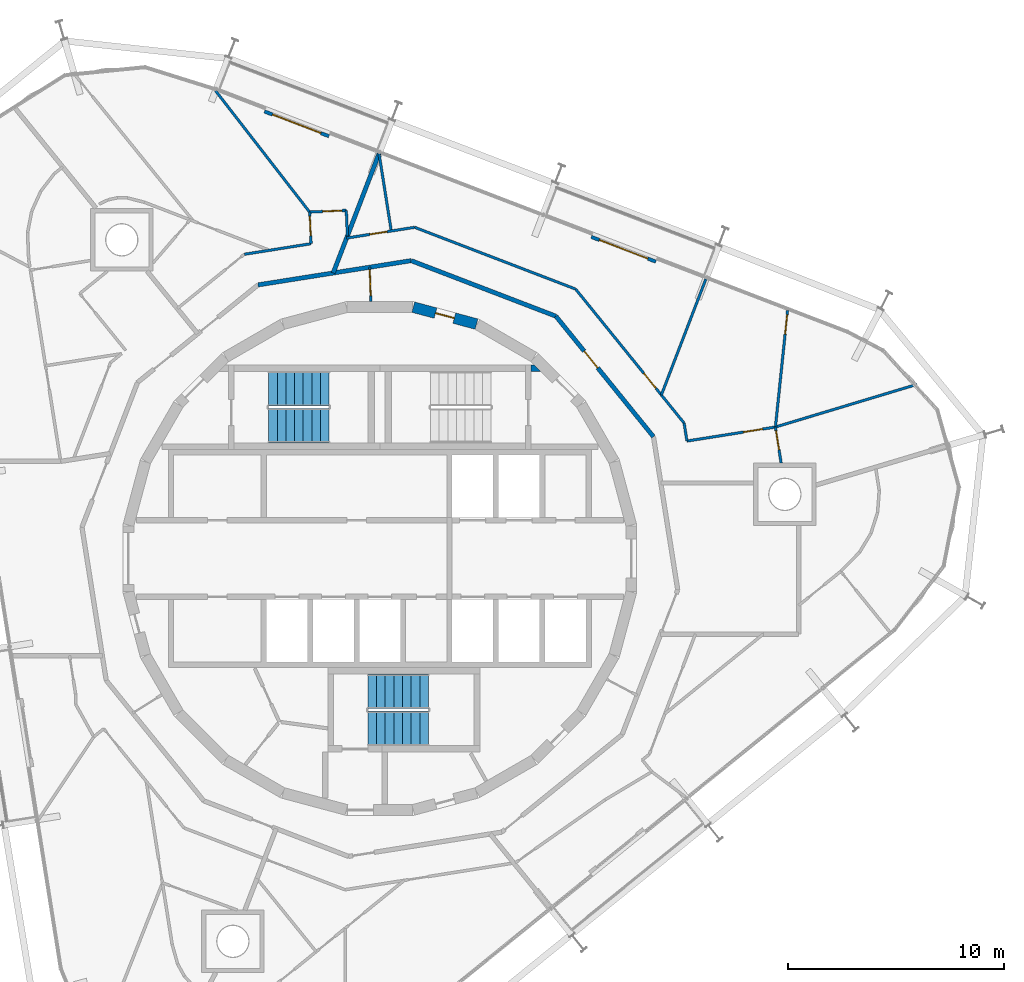
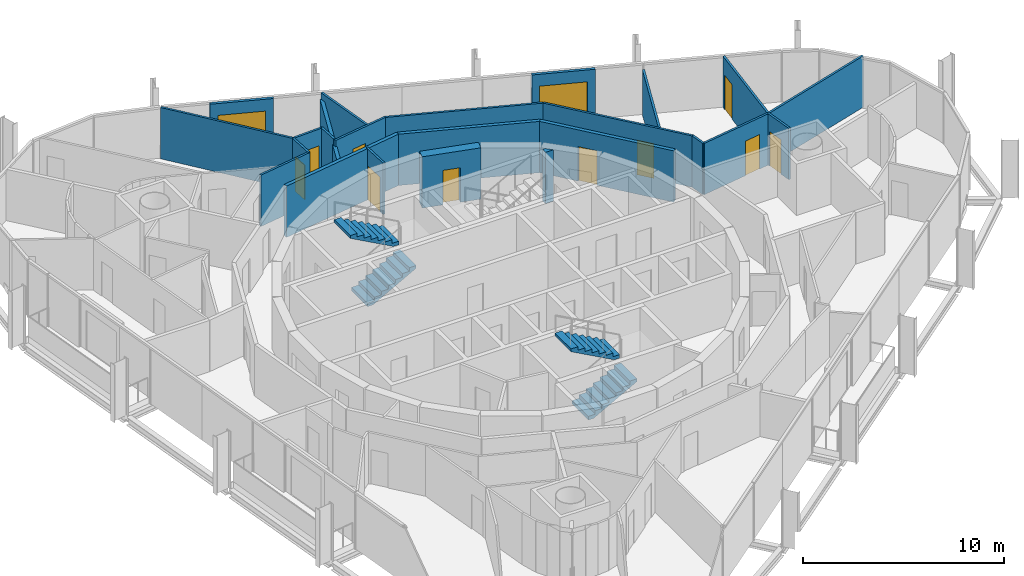
# One storey, part 16 of 18: 24 walls, 12 doors, 4 stair flights, 12 openings, 2 elements without a shape of their own.
"""IFC4 building model written with IfcOpenShell, lengths in metres."""

from ifc_helpers import new_model, si_unit, direction, frame, frame_2d, origin, place, context, subcontext, project, spatial, polyline, rectangle, outline, extrude, material, layer, layer_set, type_object, element, fill, aggregate, save


model = new_model("IFC4")

# Units and contexts
model_context = context("Model", 3, precision=1e-05, world=origin(), true_north=direction((0.0, 1.0)))
body_context = subcontext(model_context, "Body", "Model", "MODEL_VIEW")
ifc_project = project(units=[si_unit("LENGTHUNIT", "METRE"), si_unit("AREAUNIT", "SQUARE_METRE"), si_unit("VOLUMEUNIT", "CUBIC_METRE"), si_unit("PLANEANGLEUNIT", "RADIAN"), si_unit("MASSUNIT", "GRAM", prefix="KILO")], contexts=[model_context])

# Site, building, storey
site_placement = place(None, origin())
site = spatial("IfcSite", under=ifc_project, at=site_placement, CompositionType="ELEMENT")
building_placement = place(site_placement, origin())
building = spatial("IfcBuilding", under=site, at=building_placement, Name="Spindle Arch Residences", CompositionType="ELEMENT")
storey_placement = place(building_placement, frame((0.0, 0.0, 280.89990234375)))
storey = spatial("IfcBuildingStorey", under=building, at=storey_placement, Name="L72", CompositionType="ELEMENT", Elevation=280.89990234375)

# Wall, opening, door
ifc_material_1 = material(Name="Concrete C50/60", Category="concrete")
ifc_layer_1 = layer(ifc_material_1, 0.5)
ifc_layer_set_1 = layer_set([ifc_layer_1], Name="Core outline wall 500")
wall_type_1 = type_object("IfcWallType", Name="Core outline wall 500", PredefinedType="SHEAR", material=ifc_layer_set_1)
wall_1_placement = place(storey_placement, frame((4.479248046875, 10.858154296875, 0.0), z_axis=(0.0, 0.0, 1.0), x_axis=(-0.965948410781, 0.258734743916, 0.0)))
wall_1 = element("IfcWall", 1, at=wall_1_placement, inside=storey, type_object=wall_type_1, Name="Core outline wall 11", PredefinedType="SHEAR", context=body_context, shape_type="SweptSolid", body=[
    extrude(rectangle(XDim=3.03271484375, YDim=0.5, at=frame_2d((1.516357421875, 0.0))), origin(), (0.0, 0.0, 1.0), 3.1201171875),
])
opening_1_placement = place(wall_1_placement, frame((1.066162109375, 0.0, 0.0)))
opening_1 = element("IfcOpeningElement", 2, at=opening_1_placement, cuts=wall_1, Name="Opening R7B1-WD11", PredefinedType="OPENING", context=body_context, shape_type="SweptSolid", body=[
    extrude(rectangle(XDim=0.89990234375, YDim=2.10009765625, at=frame_2d((0.449951171875, 1.050048828125))), frame((0.0, 0.260009765625, 0.0), z_axis=(0.0, -1.0, 0.0), x_axis=(1.0, 0.0, 0.0)), (0.0, 0.0, 1.0), 0.52001953125),
])
ifc_material_2 = material(Name="Steel, fire-resisting door", Category="steel")
door_type_1 = type_object("IfcDoorType", Name="Service room door 900x2100", OperationType="SINGLE_SWING_LEFT", PredefinedType="DOOR", material=ifc_material_2)
door_1_placement = place(opening_1_placement, origin())
door_1 = element("IfcDoor", 3, at=door_1_placement, inside=storey, type_object=door_type_1, Name="Service room door R7B1-WD11", OperationType="SINGLE_SWING_LEFT", OverallHeight=2.10009765625, OverallWidth=0.89990234375, PredefinedType="DOOR", context=body_context, shape_type="SweptSolid", body=[
    extrude(rectangle(XDim=0.89990234375, YDim=2.10009765625, at=frame_2d((0.449951171875, 1.050048828125))), frame((0.0, 0.02490234375, 0.0), z_axis=(0.0, -1.0, 0.0), x_axis=(1.0, 0.0, 0.0)), (0.0, 0.0, 1.0), 0.050048828125),
])
fill(opening_1, door_1)

ifc_material_3 = material(Name="Plasterboard on steel studs", Category="steel")
ifc_layer_2 = layer(ifc_material_3, 0.1201171875)
ifc_layer_set_2 = layer_set([ifc_layer_2], Name="Corridor division wall 120")
wall_type_2 = type_object("IfcWallType", Name="Corridor division wall 120", PredefinedType="PARTITIONING", material=ifc_layer_set_2)
wall_2_placement = place(storey_placement, frame((-0.47119140625, 13.492431640625, 0.0), z_axis=(0.0, 0.0, 1.0), x_axis=(0.034873173869, -0.999391745886, 0.0)))
wall_2 = element("IfcWall", 4, at=wall_2_placement, inside=storey, type_object=wall_type_2, Name="Corridor division wall R7B1-W001", PredefinedType="PARTITIONING", context=body_context, shape_type="SweptSolid", body=[
    extrude(rectangle(XDim=1.59619140625, YDim=0.1201171875, at=frame_2d((0.798095703125, 0.0))), origin(), (0.0, 0.0, 1.0), 3.1201171875),
])
opening_2_placement = place(wall_2_placement, frame((0.1201171875, 0.0, 0.0)))
opening_2 = element("IfcOpeningElement", 5, at=opening_2_placement, cuts=wall_2, Name="Opening R7B1-CD01", PredefinedType="OPENING", context=body_context, shape_type="SweptSolid", body=[
    extrude(rectangle(XDim=1.199951171875, YDim=2.10009765625, at=frame_2d((0.60009765625, 1.050048828125))), frame((0.0, 0.070068359375, 0.0), z_axis=(0.0, -1.0, 0.0), x_axis=(1.0, 0.0, 0.0)), (0.0, 0.0, 1.0), 0.14013671875),
])
ifc_material_4 = material(Name="Steel, fire-resisting door", Category="steel")
door_type_2 = type_object("IfcDoorType", Name="Corridor division door 1200x2100", OperationType="NOTDEFINED", PredefinedType="DOOR", material=ifc_material_4)
door_2_placement = place(opening_2_placement, origin())
door_2 = element("IfcDoor", 6, at=door_2_placement, inside=storey, type_object=door_type_2, Name="Corridor division door R7B1-CD01", OperationType="DOUBLE_DOOR_SINGLE_SWING", OverallHeight=2.10009765625, OverallWidth=1.199951171875, PredefinedType="DOOR", context=body_context, shape_type="SweptSolid", body=[
    extrude(rectangle(XDim=1.199951171875, YDim=2.10009765625, at=frame_2d((0.60009765625, 1.050048828125))), frame((0.0, 0.02490234375, 0.0), z_axis=(0.0, -1.0, 0.0), x_axis=(1.0, 0.0, 0.0)), (0.0, 0.0, 1.0), 0.050048828125),
])
fill(opening_2, door_2)

ifc_material_5 = material(Name="Calcium silicate block, plastered")
ifc_layer_3 = layer(ifc_material_5, 0.199951171875)
ifc_layer_set_3 = layer_set([ifc_layer_3], Name="Corridor wall 200")
wall_type_3 = type_object("IfcWallType", Name="Corridor wall 200", PredefinedType="STANDARD", material=ifc_layer_set_3)
wall_3_placement = place(storey_placement, frame((12.67333984375, 5.642578125, 0.0), z_axis=(0.0, 0.0, 1.0), x_axis=(-0.629302871585, 0.777160148113, 0.0)))
wall_3 = element("IfcWall", 7, at=wall_3_placement, inside=storey, type_object=wall_type_3, Name="Corridor wall R7B1-W006", PredefinedType="STANDARD", context=body_context, shape_type="SweptSolid", body=[
    extrude(rectangle(XDim=7.180908203125, YDim=0.199951171875, at=frame_2d((3.59033203125, 0.0))), origin(), (0.0, 0.0, 1.0), 3.1201171875),
])
opening_3_placement = place(wall_3_placement, frame((4.10009765625, 0.0, 0.0)))
opening_3 = element("IfcOpeningElement", 8, at=opening_3_placement, cuts=wall_3, Name="Opening R7B1-FD01", PredefinedType="OPENING", context=body_context, shape_type="SweptSolid", body=[
    extrude(rectangle(XDim=1.0, YDim=2.10009765625, at=frame_2d((0.5, 1.050048828125))), frame((0.0, 0.10986328125, 0.0), z_axis=(0.0, -1.0, 0.0), x_axis=(1.0, 0.0, 0.0)), (0.0, 0.0, 1.0), 0.219970703125),
])
ifc_material_6 = material(Name="Timber, fire-resisting door set", Category="wood")
door_type_3 = type_object("IfcDoorType", Name="Flat entrance door 1000x2100", OperationType="NOTDEFINED", PredefinedType="DOOR", material=ifc_material_6)
door_3_placement = place(opening_3_placement, origin())
door_3 = element("IfcDoor", 9, at=door_3_placement, inside=storey, type_object=door_type_3, Name="Flat entrance door R7B1-FD01", OperationType="SINGLE_SWING_LEFT", OverallHeight=2.10009765625, OverallWidth=1.0, PredefinedType="DOOR", context=body_context, shape_type="SweptSolid", body=[
    extrude(rectangle(XDim=1.0, YDim=2.10009765625, at=frame_2d((0.5, 1.050048828125))), frame((0.0, 0.02490234375, 0.0), z_axis=(0.0, -1.0, 0.0), x_axis=(1.0, 0.0, 0.0)), (0.0, 0.0, 1.0), 0.050048828125),
])
fill(opening_3, door_3)

# Walls
wall_4_placement = place(storey_placement, frame((8.154296875, 11.223388671875, 0.0), z_axis=(0.0, 0.0, 1.0), x_axis=(-0.93359073609, 0.358341090983, 0.0)))
element("IfcWall", 10, at=wall_4_placement, inside=storey, type_object=wall_type_3, Name="Corridor wall R7B1-W007", PredefinedType="STANDARD", context=body_context, shape_type="SweptSolid", body=[
    extrude(rectangle(XDim=7.180908203125, YDim=0.199951171875, at=frame_2d((3.59033203125, 0.0))), origin(), (0.0, 0.0, 1.0), 3.1201171875),
])
wall_5_placement = place(storey_placement, frame((1.4501953125, 13.796630859375, 0.0), z_axis=(0.0, 0.0, 1.0), x_axis=(-0.987690361611, -0.156421704315, 0.0)))
element("IfcWall", 11, at=wall_5_placement, inside=storey, type_object=wall_type_3, Name="Corridor wall R7B1-W008", PredefinedType="STANDARD", context=body_context, shape_type="SweptSolid", body=[
    extrude(rectangle(XDim=7.18115234375, YDim=0.199951171875, at=frame_2d((3.590576171875, 0.0))), origin(), (0.0, 0.0, 1.0), 3.1201171875),
])

# Wall, opening, door
ifc_material_7 = material(Name="Plasterboard on steel studs", Category="steel")
ifc_layer_4 = layer(ifc_material_7, 0.1201171875)
ifc_layer_set_4 = layer_set([ifc_layer_4], Name="Flat partition 120")
wall_type_4 = type_object("IfcWallType", Name="Flat partition 120", PredefinedType="PARTITIONING", material=ifc_layer_set_4)
wall_6_placement = place(storey_placement, frame((18.5869140625, 4.421142578125, 0.0), z_axis=(0.0, 0.0, 1.0), x_axis=(-0.156474488977, 0.987682000595, 0.0)))
wall_6 = element("IfcWall", 12, at=wall_6_placement, inside=storey, type_object=wall_type_4, Name="Flat partition R7B1-W031", PredefinedType="PARTITIONING", context=body_context, shape_type="SweptSolid", body=[
    extrude(rectangle(XDim=1.689697265625, YDim=0.1201171875, at=frame_2d((0.8447265625, 0.0))), origin(), (0.0, 0.0, 1.0), 3.1201171875),
])
opening_4_placement = place(wall_6_placement, frame((0.6201171875, 0.0, 0.0)))
opening_4 = element("IfcOpeningElement", 13, at=opening_4_placement, cuts=wall_6, Name="Opening R7B1-ID01", PredefinedType="OPENING", context=body_context, shape_type="SweptSolid", body=[
    extrude(rectangle(XDim=0.89990234375, YDim=2.10009765625, at=frame_2d((0.449951171875, 1.050048828125))), frame((0.0, 0.070068359375, 0.0), z_axis=(0.0, -1.0, 0.0), x_axis=(1.0, 0.0, 0.0)), (0.0, 0.0, 1.0), 0.14013671875),
])
ifc_material_8 = material(Name="Timber door set", Category="wood")
door_type_4 = type_object("IfcDoorType", Name="Room door 900x2100", OperationType="NOTDEFINED", PredefinedType="DOOR", material=ifc_material_8)
door_4_placement = place(opening_4_placement, origin())
door_4 = element("IfcDoor", 14, at=door_4_placement, inside=storey, type_object=door_type_4, Name="Room door R7B1-ID01", OperationType="SINGLE_SWING_LEFT", OverallHeight=2.10009765625, OverallWidth=0.89990234375, PredefinedType="DOOR", context=body_context, shape_type="SweptSolid", body=[
    extrude(rectangle(XDim=0.89990234375, YDim=2.10009765625, at=frame_2d((0.449951171875, 1.050048828125))), frame((0.0, 0.02490234375, 0.0), z_axis=(0.0, -1.0, 0.0), x_axis=(1.0, 0.0, 0.0)), (0.0, 0.0, 1.0), 0.050048828125),
])
fill(opening_4, door_4)

wall_7_placement = place(storey_placement, frame((18.322509765625, 6.090087890625, 0.0), z_axis=(0.0, 0.0, 1.0), x_axis=(-0.987686518745, -0.156445967317, 0.0)))
wall_7 = element("IfcWall", 15, at=wall_7_placement, inside=storey, type_object=wall_type_4, Name="Flat partition R7B1-W032", PredefinedType="PARTITIONING", context=body_context, shape_type="SweptSolid", body=[
    extrude(rectangle(XDim=4.1494140625, YDim=0.1201171875, at=frame_2d((2.07470703125, 0.0))), origin(), (0.0, 0.0, 1.0), 3.1201171875),
])
opening_5_placement = place(wall_7_placement, frame((0.60009765625, 0.0, 0.0)))
opening_5 = element("IfcOpeningElement", 16, at=opening_5_placement, cuts=wall_7, Name="Opening R7B1-ID02", PredefinedType="OPENING", context=body_context, shape_type="SweptSolid", body=[
    extrude(rectangle(XDim=0.89990234375, YDim=2.10009765625, at=frame_2d((0.449951171875, 1.050048828125))), frame((0.0, 0.070068359375, 0.0), z_axis=(0.0, -1.0, 0.0), x_axis=(1.0, 0.0, 0.0)), (0.0, 0.0, 1.0), 0.14013671875),
])
door_5_placement = place(opening_5_placement, origin())
door_5 = element("IfcDoor", 17, at=door_5_placement, inside=storey, type_object=door_type_4, Name="Room door R7B1-ID02", OperationType="SINGLE_SWING_RIGHT", OverallHeight=2.10009765625, OverallWidth=0.89990234375, PredefinedType="DOOR", context=body_context, shape_type="SweptSolid", body=[
    extrude(rectangle(XDim=0.89990234375, YDim=2.10009765625, at=frame_2d((0.449951171875, 1.050048828125))), frame((0.0, 0.02490234375, 0.0), z_axis=(0.0, -1.0, 0.0), x_axis=(1.0, 0.0, 0.0)), (0.0, 0.0, 1.0), 0.050048828125),
])
fill(opening_5, door_5)

# Wall
wall_8_placement = place(storey_placement, frame((14.22412109375, 5.44091796875, 0.0), z_axis=(0.0, 0.0, 1.0), x_axis=(-0.156556956418, 0.987668932081, 0.0)))
element("IfcWall", 18, at=wall_8_placement, inside=storey, type_object=wall_type_4, Name="Flat partition R7B1-W033", PredefinedType="PARTITIONING", context=body_context, shape_type="SweptSolid", body=[
    extrude(rectangle(XDim=0.84375, YDim=0.1201171875, at=frame_2d((0.421875, 0.0))), origin(), (0.0, 0.0, 1.0), 3.1201171875),
])

# Wall, opening, door
wall_9_placement = place(storey_placement, frame((14.092041015625, 6.274169921875, 0.0), z_axis=(0.0, 0.0, 1.0), x_axis=(-0.62933367237, 0.777135206268, 0.0)))
wall_9 = element("IfcWall", 19, at=wall_9_placement, inside=storey, type_object=wall_type_4, Name="Flat partition R7B1-W034", PredefinedType="PARTITIONING", context=body_context, shape_type="SweptSolid", body=[
    extrude(rectangle(XDim=7.98486328125, YDim=0.1201171875, at=frame_2d((3.992431640625, 0.0))), origin(), (0.0, 0.0, 1.0), 3.1201171875),
])
opening_6_placement = place(wall_9_placement, frame((2.07275390625, 0.0, 0.0)))
opening_6 = element("IfcOpeningElement", 20, at=opening_6_placement, cuts=wall_9, Name="Opening R7B1-ID03", PredefinedType="OPENING", context=body_context, shape_type="SweptSolid", body=[
    extrude(rectangle(XDim=0.89990234375, YDim=2.10009765625, at=frame_2d((0.449951171875, 1.050048828125))), frame((0.0, 0.070068359375, 0.0), z_axis=(0.0, -1.0, 0.0), x_axis=(1.0, 0.0, 0.0)), (0.0, 0.0, 1.0), 0.14013671875),
])
door_6_placement = place(opening_6_placement, origin())
door_6 = element("IfcDoor", 21, at=door_6_placement, inside=storey, type_object=door_type_4, Name="Room door R7B1-ID03", OperationType="SINGLE_SWING_LEFT", OverallHeight=2.10009765625, OverallWidth=0.89990234375, PredefinedType="DOOR", context=body_context, shape_type="SweptSolid", body=[
    extrude(rectangle(XDim=0.89990234375, YDim=2.10009765625, at=frame_2d((0.449951171875, 1.050048828125))), frame((0.0, 0.02490234375, 0.0), z_axis=(0.0, -1.0, 0.0), x_axis=(1.0, 0.0, 0.0)), (0.0, 0.0, 1.0), 0.050048828125),
])
fill(opening_6, door_6)

# Wall
wall_10_placement = place(storey_placement, frame((9.06689453125, 12.4794921875, 0.0), z_axis=(0.0, 0.0, 1.0), x_axis=(-0.933579449035, 0.358370495911, 0.0)))
element("IfcWall", 22, at=wall_10_placement, inside=storey, type_object=wall_type_4, Name="Flat partition R7B1-W035", PredefinedType="PARTITIONING", context=body_context, shape_type="SweptSolid", body=[
    extrude(rectangle(XDim=7.98486328125, YDim=0.1201171875, at=frame_2d((3.992431640625, 0.0))), origin(), (0.0, 0.0, 1.0), 3.1201171875),
])

# Wall, opening, door
wall_11_placement = place(storey_placement, frame((1.6123046875, 15.341064453125, 0.0), z_axis=(0.0, 0.0, 1.0), x_axis=(-0.987687176419, -0.156441815179, 0.0)))
wall_11 = element("IfcWall", 23, at=wall_11_placement, inside=storey, type_object=wall_type_4, Name="Flat partition R7B1-W036", PredefinedType="PARTITIONING", context=body_context, shape_type="SweptSolid", body=[
    extrude(rectangle(XDim=3.19140625, YDim=0.1201171875, at=frame_2d((1.595703125, 0.0))), origin(), (0.0, 0.0, 1.0), 3.1201171875),
])
opening_7_placement = place(wall_11_placement, frame((1.29541015625, 0.0, 0.0)))
opening_7 = element("IfcOpeningElement", 24, at=opening_7_placement, cuts=wall_11, Name="Opening R7B1-BD01", PredefinedType="OPENING", context=body_context, shape_type="SweptSolid", body=[
    extrude(rectangle(XDim=0.800048828125, YDim=2.10009765625, at=frame_2d((0.39990234375, 1.050048828125))), frame((0.0, 0.070068359375, 0.0), z_axis=(0.0, -1.0, 0.0), x_axis=(1.0, 0.0, 0.0)), (0.0, 0.0, 1.0), 0.14013671875),
])
ifc_material_9 = material(Name="Timber door set", Category="wood")
door_type_5 = type_object("IfcDoorType", Name="Bathroom door 800x2100", OperationType="NOTDEFINED", PredefinedType="DOOR", material=ifc_material_9)
door_7_placement = place(opening_7_placement, origin())
door_7 = element("IfcDoor", 25, at=door_7_placement, inside=storey, type_object=door_type_5, Name="Bathroom door R7B1-BD01", OperationType="SINGLE_SWING_RIGHT", OverallHeight=2.10009765625, OverallWidth=0.800048828125, PredefinedType="DOOR", context=body_context, shape_type="SweptSolid", body=[
    extrude(rectangle(XDim=0.800048828125, YDim=2.10009765625, at=frame_2d((0.39990234375, 1.050048828125))), frame((0.0, 0.02490234375, 0.0), z_axis=(0.0, -1.0, 0.0), x_axis=(1.0, 0.0, 0.0)), (0.0, 0.0, 1.0), 0.050048828125),
])
fill(opening_7, door_7)

# Wall
wall_12_placement = place(storey_placement, frame((24.8828125, 8.066650390625, 0.0), z_axis=(0.0, 0.0, 1.0), x_axis=(-0.957485305222, -0.288482044995, 0.0)))
element("IfcWall", 26, at=wall_12_placement, inside=storey, type_object=wall_type_4, Name="Flat partition R7B1-W037", PredefinedType="PARTITIONING", context=body_context, shape_type="SweptSolid", body=[
    extrude(rectangle(XDim=6.8515625, YDim=0.1201171875, at=frame_2d((3.42578125, 0.0))), origin(), (0.0, 0.0, 1.0), 3.1201171875),
])

# Wall, opening, door
wall_13_placement = place(storey_placement, frame((18.885498046875, 11.491943359375, 0.0), z_axis=(0.0, 0.0, 1.0), x_axis=(-0.10365981832, -0.994612810126, 0.0)))
wall_13 = element("IfcWall", 27, at=wall_13_placement, inside=storey, type_object=wall_type_4, Name="Flat partition R7B1-W038", PredefinedType="PARTITIONING", context=body_context, shape_type="SweptSolid", body=[
    extrude(rectangle(XDim=5.43115234375, YDim=0.1201171875, at=frame_2d((2.715576171875, 0.0))), origin(), (0.0, 0.0, 1.0), 3.1201171875),
])
opening_8_placement = place(wall_13_placement, frame((0.199951171875, 0.0, 0.0)))
opening_8 = element("IfcOpeningElement", 28, at=opening_8_placement, cuts=wall_13, Name="Opening R7B1-ID04", PredefinedType="OPENING", context=body_context, shape_type="SweptSolid", body=[
    extrude(rectangle(XDim=0.89990234375, YDim=2.10009765625, at=frame_2d((0.449951171875, 1.050048828125))), frame((0.0, 0.070068359375, 0.0), z_axis=(0.0, -1.0, 0.0), x_axis=(1.0, 0.0, 0.0)), (0.0, 0.0, 1.0), 0.14013671875),
])
door_8_placement = place(opening_8_placement, origin())
door_8 = element("IfcDoor", 29, at=door_8_placement, inside=storey, type_object=door_type_4, Name="Room door R7B1-ID04", OperationType="SINGLE_SWING_LEFT", OverallHeight=2.10009765625, OverallWidth=0.89990234375, PredefinedType="DOOR", context=body_context, shape_type="SweptSolid", body=[
    extrude(rectangle(XDim=0.89990234375, YDim=2.10009765625, at=frame_2d((0.449951171875, 1.050048828125))), frame((0.0, 0.02490234375, 0.0), z_axis=(0.0, -1.0, 0.0), x_axis=(1.0, 0.0, 0.0)), (0.0, 0.0, 1.0), 0.050048828125),
])
fill(opening_8, door_8)

# Walls
wall_14_placement = place(storey_placement, frame((-0.037353515625, 18.755615234375, 0.0), z_axis=(0.0, 0.0, 1.0), x_axis=(0.156421851095, -0.987690338365, 0.0)))
element("IfcWall", 30, at=wall_14_placement, inside=storey, type_object=wall_type_4, Name="Flat partition R7B1-W040", PredefinedType="PARTITIONING", context=body_context, shape_type="SweptSolid", body=[
    extrude(rectangle(XDim=3.63037109375, YDim=0.1201171875, at=frame_2d((1.815185546875, 0.0))), origin(), (0.0, 0.0, 1.0), 3.1201171875),
])
wall_15_placement = place(storey_placement, frame((-1.499755859375, 14.946044921875, 0.0), z_axis=(0.0, 0.0, 1.0), x_axis=(-0.045923747874, 0.998944948123, 0.0)))
element("IfcWall", 31, at=wall_15_placement, inside=storey, type_object=wall_type_4, Name="Flat partition R7B1-W041", PredefinedType="PARTITIONING", context=body_context, shape_type="SweptSolid", body=[
    extrude(rectangle(XDim=1.18017578125, YDim=0.1201171875, at=frame_2d((0.590087890625, 0.0))), origin(), (0.0, 0.0, 1.0), 3.1201171875),
])

# Wall, opening, door
wall_16_placement = place(storey_placement, frame((-1.553955078125, 16.125, 0.0), z_axis=(0.0, 0.0, 1.0), x_axis=(-0.998943517875, -0.045954848436, 0.0)))
wall_16 = element("IfcWall", 32, at=wall_16_placement, inside=storey, type_object=wall_type_4, Name="Flat partition R7B1-W042", PredefinedType="PARTITIONING", context=body_context, shape_type="SweptSolid", body=[
    extrude(rectangle(XDim=1.699951171875, YDim=0.1201171875, at=frame_2d((0.85009765625, 0.0))), origin(), (0.0, 0.0, 1.0), 3.1201171875),
])
opening_9_placement = place(wall_16_placement, frame((0.199951171875, 0.0, 0.0)))
opening_9 = element("IfcOpeningElement", 33, at=opening_9_placement, cuts=wall_16, Name="Opening R7B1-ID05", PredefinedType="OPENING", context=body_context, shape_type="SweptSolid", body=[
    extrude(rectangle(XDim=0.89990234375, YDim=2.10009765625, at=frame_2d((0.449951171875, 1.050048828125))), frame((0.0, 0.070068359375, 0.0), z_axis=(0.0, -1.0, 0.0), x_axis=(1.0, 0.0, 0.0)), (0.0, 0.0, 1.0), 0.14013671875),
])
door_9_placement = place(opening_9_placement, origin())
door_9 = element("IfcDoor", 34, at=door_9_placement, inside=storey, type_object=door_type_4, Name="Room door R7B1-ID05", OperationType="SINGLE_SWING_RIGHT", OverallHeight=2.10009765625, OverallWidth=0.89990234375, PredefinedType="DOOR", context=body_context, shape_type="SweptSolid", body=[
    extrude(rectangle(XDim=0.89990234375, YDim=2.10009765625, at=frame_2d((0.449951171875, 1.050048828125))), frame((0.0, 0.02490234375, 0.0), z_axis=(0.0, -1.0, 0.0), x_axis=(1.0, 0.0, 0.0)), (0.0, 0.0, 1.0), 0.050048828125),
])
fill(opening_9, door_9)

wall_17_placement = place(storey_placement, frame((-3.252197265625, 16.046875, 0.0), z_axis=(0.0, 0.0, 1.0), x_axis=(0.045928493331, -0.998944729953, 0.0)))
wall_17 = element("IfcWall", 35, at=wall_17_placement, inside=storey, type_object=wall_type_4, Name="Flat partition R7B1-W043", PredefinedType="PARTITIONING", context=body_context, shape_type="SweptSolid", body=[
    extrude(rectangle(XDim=1.467041015625, YDim=0.1201171875, at=frame_2d((0.7333984375, 0.0))), origin(), (0.0, 0.0, 1.0), 3.1201171875),
])
opening_10_placement = place(wall_17_placement, frame((0.199951171875, 0.0, 0.0)))
opening_10 = element("IfcOpeningElement", 36, at=opening_10_placement, cuts=wall_17, Name="Opening R7B1-ID06", PredefinedType="OPENING", context=body_context, shape_type="SweptSolid", body=[
    extrude(rectangle(XDim=0.89990234375, YDim=2.10009765625, at=frame_2d((0.449951171875, 1.050048828125))), frame((0.0, 0.070068359375, 0.0), z_axis=(0.0, -1.0, 0.0), x_axis=(1.0, 0.0, 0.0)), (0.0, 0.0, 1.0), 0.14013671875),
])
door_10_placement = place(opening_10_placement, origin())
door_10 = element("IfcDoor", 37, at=door_10_placement, inside=storey, type_object=door_type_4, Name="Room door R7B1-ID06", OperationType="SINGLE_SWING_LEFT", OverallHeight=2.10009765625, OverallWidth=0.89990234375, PredefinedType="DOOR", context=body_context, shape_type="SweptSolid", body=[
    extrude(rectangle(XDim=0.89990234375, YDim=2.10009765625, at=frame_2d((0.449951171875, 1.050048828125))), frame((0.0, 0.02490234375, 0.0), z_axis=(0.0, -1.0, 0.0), x_axis=(1.0, 0.0, 0.0)), (0.0, 0.0, 1.0), 0.050048828125),
])
fill(opening_10, door_10)

# Walls
wall_18_placement = place(storey_placement, frame((-3.184814453125, 14.581298828125, 0.0), z_axis=(0.0, 0.0, 1.0), x_axis=(-0.987690712769, -0.156419486991, 0.0)))
element("IfcWall", 38, at=wall_18_placement, inside=storey, type_object=wall_type_4, Name="Flat partition R7B1-W044", PredefinedType="PARTITIONING", context=body_context, shape_type="SweptSolid", body=[
    extrude(rectangle(XDim=3.1279296875, YDim=0.1201171875, at=frame_2d((1.56396484375, 0.0))), origin(), (0.0, 0.0, 1.0), 3.1201171875),
])
wall_19_placement = place(storey_placement, frame((-7.6064453125, 21.6611328125, 0.0), z_axis=(0.0, 0.0, 1.0), x_axis=(0.612852858705, -0.79019704731, 0.0)))
element("IfcWall", 39, at=wall_19_placement, inside=storey, type_object=wall_type_4, Name="Flat partition R7B1-W046", PredefinedType="PARTITIONING", context=body_context, shape_type="SweptSolid", body=[
    extrude(rectangle(XDim=7.10498046875, YDim=0.1201171875, at=frame_2d((3.552490234375, 0.0))), origin(), (0.0, 0.0, 1.0), 3.1201171875),
])
ifc_material_10 = material(Name="Plasterboard on steel studs", Category="steel")
ifc_layer_5 = layer(ifc_material_10, 0.1201171875)
ifc_layer_set_5 = layer_set([ifc_layer_5], Name="Flat partition 120 under beam 2730")
wall_type_5 = type_object("IfcWallType", Name="Flat partition 120 under beam 2730", PredefinedType="PARTITIONING", material=ifc_layer_set_5)
wall_20_placement = place(storey_placement, frame((15.100830078125, 12.944580078125, 0.0), z_axis=(0.0, 0.0, 1.0), x_axis=(-0.358373232579, -0.933578398513, 0.0)))
element("IfcWall", 40, at=wall_20_placement, inside=storey, type_object=wall_type_5, Name="Flat partition R7B1-W039", PredefinedType="PARTITIONING", context=body_context, shape_type="SweptSolid", body=[
    extrude(rectangle(XDim=5.75244140625, YDim=0.1201171875, at=frame_2d((2.876220703125, 0.0))), origin(), (0.0, 0.0, 1.0), 2.72998046875),
])
ifc_material_11 = material(Name="Calcium silicate block, plastered")
ifc_layer_6 = layer(ifc_material_11, 0.199951171875)
ifc_layer_set_6 = layer_set([ifc_layer_6], Name="Flat party wall 200 under beam 2730")
wall_type_6 = type_object("IfcWallType", Name="Flat party wall 200 under beam 2730", PredefinedType="STANDARD", material=ifc_layer_set_6)
wall_21_placement = place(storey_placement, frame((-0.037353515625, 18.755615234375, 0.0), z_axis=(0.0, 0.0, 1.0), x_axis=(-0.358365943542, -0.933581196527, 0.0)))
element("IfcWall", 41, at=wall_21_placement, inside=storey, type_object=wall_type_6, Name="Flat party wall R7B1-W023", PredefinedType="STANDARD", context=body_context, shape_type="SweptSolid", body=[
    extrude(rectangle(XDim=5.92431640625, YDim=0.199951171875, at=frame_2d((2.962158203125, 0.0))), origin(), (0.0, 0.0, 1.0), 2.72998046875),
])

# Wall, opening, door
ifc_material_12 = material(Name="Non-combustible mineral wool insulated aluminium faced external wall (K0)", Category="aluminium")
ifc_layer_7 = layer(ifc_material_12, 0.159912109375)
ifc_layer_set_7 = layer_set([ifc_layer_7], Name="Insulated external wall panel 160")
wall_type_7 = type_object("IfcWallType", Name="Insulated external wall panel 160", PredefinedType="STANDARD", material=ifc_layer_set_7)
wall_22_placement = place(storey_placement, frame((12.78125, 13.74951171875, 0.0), z_axis=(0.0, 0.0, 1.0), x_axis=(-0.933579413923, 0.358370587381, 0.0)))
wall_22 = element("IfcWall", 42, at=wall_22_placement, inside=storey, type_object=wall_type_7, Name="External wall L72 bay 6", PredefinedType="STANDARD", context=body_context, shape_type="SweptSolid", body=[
    extrude(rectangle(XDim=3.199951171875, YDim=0.159912109375, at=frame_2d((1.60009765625, 0.0))), origin(), (0.0, 0.0, 1.0), 3.1201171875),
])
opening_11_placement = place(wall_22_placement, frame((0.39990234375, 0.0, 0.0)))
opening_11 = element("IfcOpeningElement", 43, at=opening_11_placement, cuts=wall_22, Name="Opening BD06", PredefinedType="OPENING", context=body_context, shape_type="SweptSolid", body=[
    extrude(rectangle(XDim=2.39990234375, YDim=2.39990234375, at=frame_2d((1.199951171875, 1.199951171875))), frame((0.0, 0.08984375, 0.0), z_axis=(0.0, -1.0, 0.0), x_axis=(1.0, 0.0, 0.0)), (0.0, 0.0, 1.0), 0.179931640625),
])
ifc_material_13 = material(Name="Bronze aluminium frame, tinted double glazing", Category="aluminium")
door_type_6 = type_object("IfcDoorType", Name="Sliding glazed balcony door 2400x2400", OperationType="DOUBLE_DOOR_SLIDING", PredefinedType="DOOR", material=ifc_material_13)
door_11_placement = place(opening_11_placement, origin())
door_11 = element("IfcDoor", 44, at=door_11_placement, inside=storey, type_object=door_type_6, Name="Balcony door BD06", OperationType="DOUBLE_DOOR_SLIDING", OverallHeight=2.39990234375, OverallWidth=2.39990234375, PredefinedType="DOOR", context=body_context, shape_type="SweptSolid", body=[
    extrude(rectangle(XDim=2.39990234375, YDim=2.39990234375, at=frame_2d((1.199951171875, 1.199951171875))), frame((0.0, 0.02490234375, 0.0), z_axis=(0.0, -1.0, 0.0), x_axis=(1.0, 0.0, 0.0)), (0.0, 0.0, 1.0), 0.050048828125),
])
fill(opening_11, door_11)

wall_23_placement = place(storey_placement, frame((-2.35693359375, 19.560302734375, 0.0), z_axis=(0.0, 0.0, 1.0), x_axis=(-0.933553885508, 0.358437083534, 0.0)))
wall_23 = element("IfcWall", 45, at=wall_23_placement, inside=storey, type_object=wall_type_7, Name="External wall L72 bay 8", PredefinedType="STANDARD", context=body_context, shape_type="SweptSolid", body=[
    extrude(rectangle(XDim=3.199951171875, YDim=0.159912109375, at=frame_2d((1.60009765625, 0.0))), origin(), (0.0, 0.0, 1.0), 3.1201171875),
])
opening_12_placement = place(wall_23_placement, frame((0.39990234375, 0.0, 0.0)))
opening_12 = element("IfcOpeningElement", 46, at=opening_12_placement, cuts=wall_23, Name="Opening BD08", PredefinedType="OPENING", context=body_context, shape_type="SweptSolid", body=[
    extrude(rectangle(XDim=2.39990234375, YDim=2.39990234375, at=frame_2d((1.199951171875, 1.199951171875))), frame((0.0, 0.08984375, 0.0), z_axis=(0.0, -1.0, 0.0), x_axis=(1.0, 0.0, 0.0)), (0.0, 0.0, 1.0), 0.179931640625),
])
door_12_placement = place(opening_12_placement, origin())
door_12 = element("IfcDoor", 47, at=door_12_placement, inside=storey, type_object=door_type_6, Name="Balcony door BD08", OperationType="DOUBLE_DOOR_SLIDING", OverallHeight=2.39990234375, OverallWidth=2.39990234375, PredefinedType="DOOR", context=body_context, shape_type="SweptSolid", body=[
    extrude(rectangle(XDim=2.39990234375, YDim=2.39990234375, at=frame_2d((1.199951171875, 1.199951171875))), frame((0.0, 0.02490234375, 0.0), z_axis=(0.0, -1.0, 0.0), x_axis=(1.0, 0.0, 0.0)), (0.0, 0.0, 1.0), 0.050048828125),
])
fill(opening_12, door_12)

# Wall
ifc_material_14 = material(Name="Concrete C40/50", Category="concrete")
wall_type_8 = type_object("IfcWallType", Name="Stair airlock wall profile", PredefinedType="SHEAR", material=ifc_material_14)
wall_24_placement = place(storey_placement, origin())
element("IfcWall", 48, at=wall_24_placement, inside=storey, type_object=wall_type_8, Name="Stair ST-1 airlock wall N", PredefinedType="SHEAR", context=body_context, shape_type="SweptSolid", body=[
    extrude(outline(polyline([(7.4482421875, 8.669921875), (7.0, 8.669921875), (7.0, 8.969970703125), (7.148193359375, 8.969970703125), (7.4482421875, 8.669921875)])), origin(), (0.0, 0.0, 1.0), 3.1201171875),
])

# Stair, stair flights
ifc_material_15 = material(Name="Concrete C50/60", Category="concrete")
stair_type = type_object("IfcStairType", Name="Exit stair 16 risers", PredefinedType="HALF_TURN_STAIR", material=ifc_material_15)
stair_1_placement = place(storey_placement, origin())
stair_1 = element("IfcStair", 49, at=stair_1_placement, inside=storey, type_object=stair_type, Name="L72 Exit stair ST2", PredefinedType="HALF_TURN_STAIR")
ifc_material_16 = material(Name="Concrete C50/60", Category="concrete")
stair_flight_type = type_object("IfcStairFlightType", Name="Exit stair flight", PredefinedType="STRAIGHT", material=ifc_material_16)
stair_flight_1_placement = place(storey_placement, frame((-5.14990234375, 6.14990234375, 0.0), z_axis=(0.0, 0.0, 1.0), x_axis=(1.0, 0.0, 0.0)))
stair_flight_1 = element("IfcStairFlight", 50, at=stair_flight_1_placement, type_object=stair_flight_type, Name="ST2 flight 1", NumberOfRisers=8, NumberOfTreads=7, PredefinedType="STRAIGHT", RiserHeight=0.21875, TreadLength=0.4, context=body_context, shape_type="SweptSolid", body=[
    extrude(outline(polyline([(0.0, 0.0), (0.0, 0.21875), (0.39990234375, 0.21875), (0.39990234375, 0.4375), (0.800048828125, 0.4375), (0.800048828125, 0.65625), (1.199951171875, 0.65625), (1.199951171875, 0.875), (1.60009765625, 0.875), (1.60009765625, 1.09375), (2.0, 1.09375), (2.0, 1.3125), (2.39990234375, 1.3125), (2.39990234375, 1.53125), (2.800048828125, 1.53125), (2.800048828125, 1.75), (2.800048828125, 1.3603515625), (0.3125, 0.0), (0.0, 0.0)])), frame((0.0, 0.800048828125, 0.0), z_axis=(0.0, -1.0, 0.0), x_axis=(1.0, 0.0, 0.0)), (0.0, 0.0, 1.0), 1.60009765625),
])
stair_flight_2_placement = place(storey_placement, frame((-2.35009765625, 7.8701171875, 1.75), z_axis=(0.0, 0.0, 1.0), x_axis=(-1.0, 0.0, 0.0)))
stair_flight_2 = element("IfcStairFlight", 51, at=stair_flight_2_placement, type_object=stair_flight_type, Name="ST2 flight 2", NumberOfRisers=8, NumberOfTreads=7, PredefinedType="STRAIGHT", RiserHeight=0.21875, TreadLength=0.4, context=body_context, shape_type="SweptSolid", body=[
    extrude(outline(polyline([(0.0, 0.0), (0.0, 0.21875), (0.39990234375, 0.21875), (0.39990234375, 0.4375), (0.800048828125, 0.4375), (0.800048828125, 0.65625), (1.199951171875, 0.65625), (1.199951171875, 0.875), (1.60009765625, 0.875), (1.60009765625, 1.09375), (2.0, 1.09375), (2.0, 1.3125), (2.39990234375, 1.3125), (2.39990234375, 1.53125), (2.800048828125, 1.53125), (2.800048828125, 1.75), (2.800048828125, 1.3603515625), (0.3125, 0.0), (0.0, 0.0)])), frame((0.0, 0.800048828125, 0.0), z_axis=(0.0, -1.0, 0.0), x_axis=(1.0, 0.0, 0.0)), (0.0, 0.0, 1.0), 1.60009765625),
])
aggregate(stair_1, [stair_flight_1, stair_flight_2])

stair_2_placement = place(storey_placement, origin())
stair_2 = element("IfcStair", 52, at=stair_2_placement, inside=storey, type_object=stair_type, Name="L72 Exit stair ST3", PredefinedType="HALF_TURN_STAIR")
stair_flight_3_placement = place(storey_placement, frame((-0.550048828125, -7.8701171875, 0.0), z_axis=(0.0, 0.0, 1.0), x_axis=(1.0, 0.0, 0.0)))
stair_flight_3 = element("IfcStairFlight", 53, at=stair_flight_3_placement, type_object=stair_flight_type, Name="ST3 flight 1", NumberOfRisers=8, NumberOfTreads=7, PredefinedType="STRAIGHT", RiserHeight=0.21875, TreadLength=0.4, context=body_context, shape_type="SweptSolid", body=[
    extrude(outline(polyline([(0.0, 0.0), (0.0, 0.21875), (0.39990234375, 0.21875), (0.39990234375, 0.4375), (0.800048828125, 0.4375), (0.800048828125, 0.65625), (1.199951171875, 0.65625), (1.199951171875, 0.875), (1.60009765625, 0.875), (1.60009765625, 1.09375), (2.0, 1.09375), (2.0, 1.3125), (2.39990234375, 1.3125), (2.39990234375, 1.53125), (2.800048828125, 1.53125), (2.800048828125, 1.75), (2.800048828125, 1.3603515625), (0.3125, 0.0), (0.0, 0.0)])), frame((0.0, 0.800048828125, 0.0), z_axis=(0.0, -1.0, 0.0), x_axis=(1.0, 0.0, 0.0)), (0.0, 0.0, 1.0), 1.60009765625),
])
stair_flight_4_placement = place(storey_placement, frame((2.25, -6.14990234375, 1.75), z_axis=(0.0, 0.0, 1.0), x_axis=(-1.0, 0.0, 0.0)))
stair_flight_4 = element("IfcStairFlight", 54, at=stair_flight_4_placement, type_object=stair_flight_type, Name="ST3 flight 2", NumberOfRisers=8, NumberOfTreads=7, PredefinedType="STRAIGHT", RiserHeight=0.21875, TreadLength=0.4, context=body_context, shape_type="SweptSolid", body=[
    extrude(outline(polyline([(0.0, 0.0), (0.0, 0.21875), (0.39990234375, 0.21875), (0.39990234375, 0.4375), (0.800048828125, 0.4375), (0.800048828125, 0.65625), (1.199951171875, 0.65625), (1.199951171875, 0.875), (1.60009765625, 0.875), (1.60009765625, 1.09375), (2.0, 1.09375), (2.0, 1.3125), (2.39990234375, 1.3125), (2.39990234375, 1.53125), (2.800048828125, 1.53125), (2.800048828125, 1.75), (2.800048828125, 1.3603515625), (0.3125, 0.0), (0.0, 0.0)])), frame((0.0, 0.800048828125, 0.0), z_axis=(0.0, -1.0, 0.0), x_axis=(1.0, 0.0, 0.0)), (0.0, 0.0, 1.0), 1.60009765625),
])
aggregate(stair_2, [stair_flight_3, stair_flight_4])

save(model, "model.ifc")
